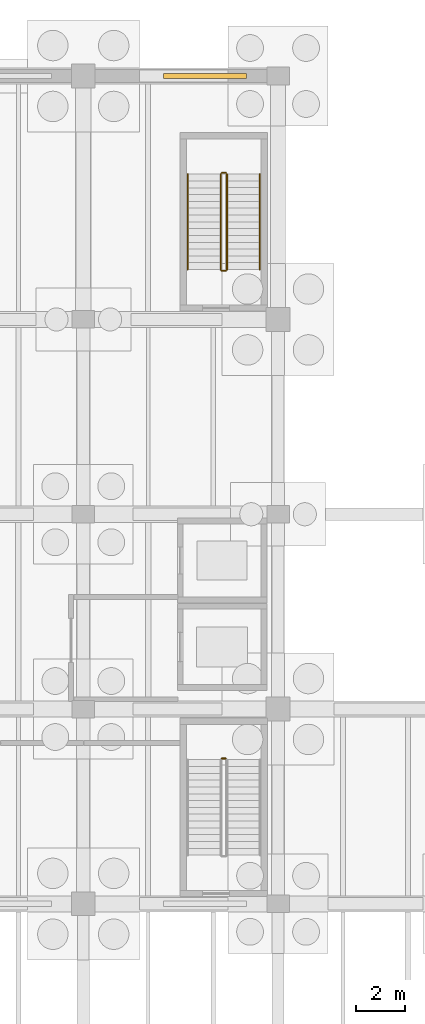
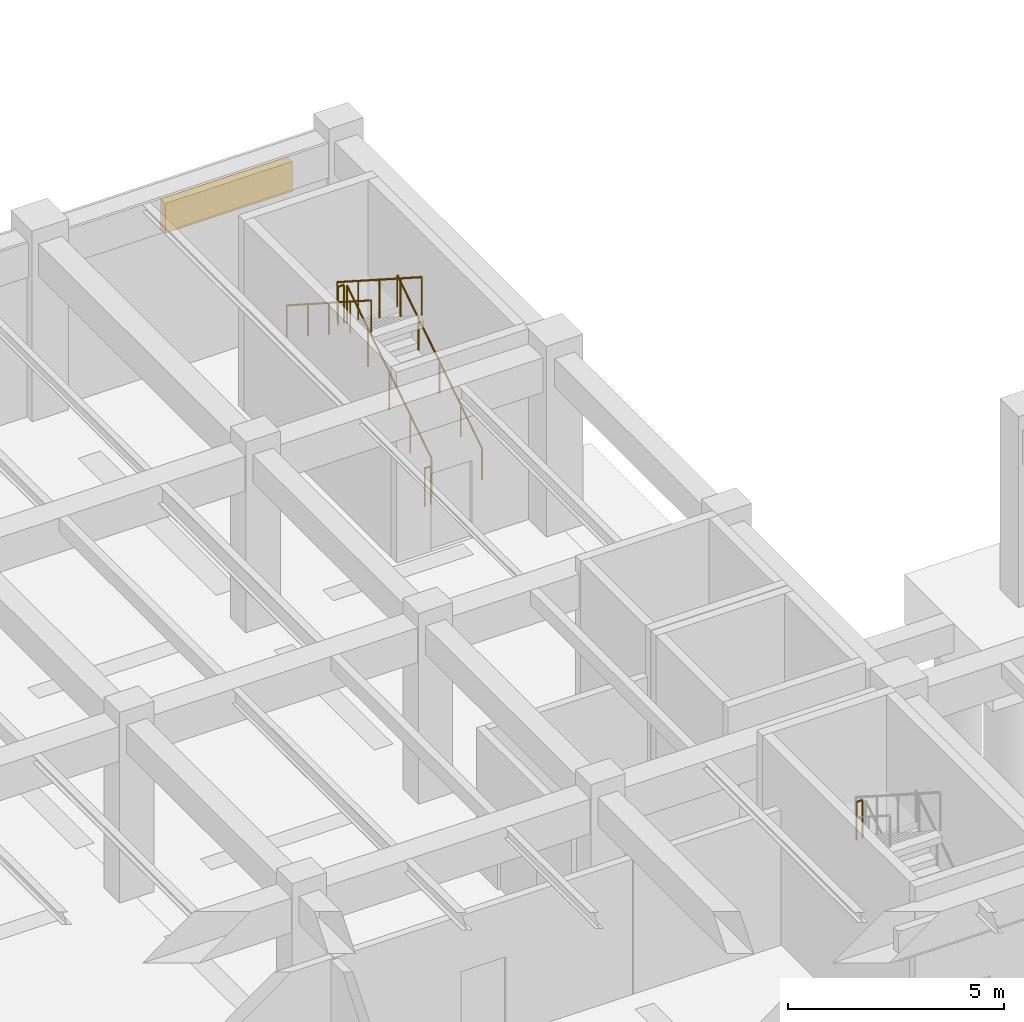
# One storey, part 42 of 44: 7 railings, 1 shading device.
"""IFC4 building model written with IfcOpenShell, lengths in metres."""

from ifc_helpers import new_model, si_unit, direction, frame, origin, origin_2d, place, context, subcontext, project, spatial, rectangle, circle, extrude, material, type_object, element, save


model = new_model("IFC4")

# Units and contexts
model_context = context("Model", 3, precision=1e-05, world=origin(), true_north=direction((0.0, 1.0)))
body_context = subcontext(model_context, "Body", "Model", "MODEL_VIEW")
ifc_project = project(units=[si_unit("LENGTHUNIT", "METRE"), si_unit("AREAUNIT", "SQUARE_METRE"), si_unit("VOLUMEUNIT", "CUBIC_METRE"), si_unit("PLANEANGLEUNIT", "RADIAN"), si_unit("MASSUNIT", "GRAM", prefix="KILO")], contexts=[model_context])

# Site, building, storey
site_placement = place(None, origin())
site = spatial("IfcSite", under=ifc_project, at=site_placement, CompositionType="ELEMENT")
building_placement = place(site_placement, origin())
building = spatial("IfcBuilding", under=site, at=building_placement, Name="Pecanmere Concourse Central Library", CompositionType="ELEMENT")
storey_placement = place(building_placement, frame((0.0, 0.0, -5.39990234375)))
storey = spatial("IfcBuildingStorey", under=building, at=storey_placement, Name="B1", CompositionType="ELEMENT", Elevation=-5.39990234375)

# Railings
ifc_material_1 = material(Name="Painted architectural steel ASTM A36", Category="steel")
railing_type_1 = type_object("IfcRailingType", Name="RAIL_STAIR_GUARD", PredefinedType="GUARDRAIL", material=ifc_material_1)
railing_1_placement = place(storey_placement, frame((101.85009765625, 95.969970703125, 2.699951171875)))
element("IfcRailing", 1, at=railing_1_placement, inside=storey, type_object=railing_type_1, Name="B1 ST-02 Guard 2", PredefinedType="GUARDRAIL", context=body_context, shape_type="SweptSolid", body=[
    extrude(circle(Radius=0.02392578125, at=origin_2d()), frame((0.0, 0.0, 1.076171875), z_axis=(-1.0, 0.0, 0.0), x_axis=(0.0, -1.0, 0.0)), (0.0, 0.0, 1.0), 0.16015625),
    extrude(circle(Radius=0.02099609375, at=origin_2d()), origin(), (0.0, 0.0, 1.0), 1.052001953125),
    extrude(circle(Radius=0.02099609375, at=origin_2d()), frame((-0.16015625, 0.0, 0.0)), (0.0, 0.0, 1.0), 1.052001953125),
])
railing_2_placement = place(storey_placement, frame((101.89990234375, 116.050048828125, 0.179931640625)))
element("IfcRailing", 2, at=railing_2_placement, inside=storey, type_object=railing_type_1, Name="B1 ST-04 Guard 1", PredefinedType="GUARDRAIL", context=body_context, shape_type="SweptSolid", body=[
    extrude(circle(Radius=0.02392578125, at=origin_2d()), frame((0.0, 0.0, 1.076171875), z_axis=(0.0, 0.841171666519, 0.540768182723), x_axis=(-1.0, 0.0, 0.0)), (0.0, 0.0, 1.0), 4.66015625),
    extrude(circle(Radius=0.02099609375, at=origin_2d()), origin(), (0.0, 0.0, 1.0), 1.052001953125),
    extrude(circle(Radius=0.02099609375, at=origin_2d()), frame((0.0, 0.97998046875, 0.6298828125)), (0.0, 0.0, 1.0), 1.052001953125),
    extrude(circle(Radius=0.02099609375, at=origin_2d()), frame((0.0, 1.9599609375, 1.260009765625)), (0.0, 0.0, 1.0), 1.052001953125),
    extrude(circle(Radius=0.02099609375, at=origin_2d()), frame((0.0, 2.93994140625, 1.89013671875)), (0.0, 0.0, 1.0), 1.052001953125),
    extrude(circle(Radius=0.02099609375, at=origin_2d()), frame((0.0, 3.919921875, 2.52001953125)), (0.0, 0.0, 1.0), 1.052001953125),
])
railing_3_placement = place(storey_placement, frame((101.85009765625, 120.02001953125, 2.699951171875)))
element("IfcRailing", 3, at=railing_3_placement, inside=storey, type_object=railing_type_1, Name="B1 ST-04 Guard 2", PredefinedType="GUARDRAIL", context=body_context, shape_type="SweptSolid", body=[
    extrude(circle(Radius=0.02392578125, at=origin_2d()), frame((0.0, 0.0, 1.076171875), z_axis=(-1.0, 0.0, 0.0), x_axis=(0.0, -1.0, 0.0)), (0.0, 0.0, 1.0), 0.16015625),
    extrude(circle(Radius=0.02099609375, at=origin_2d()), origin(), (0.0, 0.0, 1.0), 1.052001953125),
    extrude(circle(Radius=0.02099609375, at=origin_2d()), frame((-0.16015625, 0.0, 0.0)), (0.0, 0.0, 1.0), 1.052001953125),
])
railing_4_placement = place(storey_placement, frame((101.639892578125, 119.969970703125, 2.8798828125)))
element("IfcRailing", 4, at=railing_4_placement, inside=storey, type_object=railing_type_1, Name="B1 ST-04 Guard 3", PredefinedType="GUARDRAIL", context=body_context, shape_type="SweptSolid", body=[
    extrude(circle(Radius=0.02392578125, at=origin_2d()), frame((0.0, 0.0, 1.076171875), z_axis=(0.0, -0.841171666519, 0.540768182723), x_axis=(1.0, 0.0, 0.0)), (0.0, 0.0, 1.0), 4.66015625),
    extrude(circle(Radius=0.02099609375, at=origin_2d()), origin(), (0.0, 0.0, 1.0), 1.052001953125),
    extrude(circle(Radius=0.02099609375, at=origin_2d()), frame((0.0, -0.97998046875, 0.6298828125)), (0.0, 0.0, 1.0), 1.052001953125),
    extrude(circle(Radius=0.02099609375, at=origin_2d()), frame((0.0, -1.9599609375, 1.260009765625)), (0.0, 0.0, 1.0), 1.052001953125),
    extrude(circle(Radius=0.02099609375, at=origin_2d()), frame((0.0, -2.93994140625, 1.89013671875)), (0.0, 0.0, 1.0), 1.052001953125),
    extrude(circle(Radius=0.02099609375, at=origin_2d()), frame((0.0, -3.919921875, 2.52001953125)), (0.0, 0.0, 1.0), 1.052001953125),
])
railing_5_placement = place(storey_placement, frame((101.85009765625, 116.0, 0.0)))
element("IfcRailing", 5, at=railing_5_placement, inside=storey, type_object=railing_type_1, Name="B1 ST-04 Guard 4", PredefinedType="GUARDRAIL", context=body_context, shape_type="SweptSolid", body=[
    extrude(circle(Radius=0.02392578125, at=origin_2d()), frame((0.0, 0.0, 1.076171875), z_axis=(-1.0, 0.0, 0.0), x_axis=(0.0, -1.0, 0.0)), (0.0, 0.0, 1.0), 0.16015625),
    extrude(circle(Radius=0.02099609375, at=origin_2d()), origin(), (0.0, 0.0, 1.0), 1.052001953125),
    extrude(circle(Radius=0.02099609375, at=origin_2d()), frame((-0.16015625, 0.0, 0.0)), (0.0, 0.0, 1.0), 1.052001953125),
])
ifc_material_2 = material(Name="Brushed stainless steel Grade 316", Category="steel")
railing_type_2 = type_object("IfcRailingType", Name="RAIL_STAIR_HR", PredefinedType="HANDRAIL", material=ifc_material_2)
railing_6_placement = place(storey_placement, frame((103.25, 116.050048828125, 0.179931640625)))
element("IfcRailing", 6, at=railing_6_placement, inside=storey, type_object=railing_type_2, Name="B1 ST-04 Handrail 1", PredefinedType="HANDRAIL", context=body_context, shape_type="SweptSolid", body=[
    extrude(circle(Radius=0.02392578125, at=origin_2d()), frame((0.0, 0.0, 0.89111328125), z_axis=(0.0, 0.841171666519, 0.540768182723), x_axis=(-1.0, 0.0, 0.0)), (0.0, 0.0, 1.0), 4.66015625),
    extrude(circle(Radius=0.02099609375, at=origin_2d()), origin(), (0.0, 0.0, 1.0), 0.866943359375),
    extrude(circle(Radius=0.02099609375, at=origin_2d()), frame((0.0, 0.97998046875, 0.6298828125)), (0.0, 0.0, 1.0), 0.866943359375),
    extrude(circle(Radius=0.02099609375, at=origin_2d()), frame((0.0, 1.9599609375, 1.260009765625)), (0.0, 0.0, 1.0), 0.866943359375),
    extrude(circle(Radius=0.02099609375, at=origin_2d()), frame((0.0, 2.93994140625, 1.89013671875)), (0.0, 0.0, 1.0), 0.866943359375),
    extrude(circle(Radius=0.02099609375, at=origin_2d()), frame((0.0, 3.919921875, 2.52001953125)), (0.0, 0.0, 1.0), 0.866943359375),
])
railing_7_placement = place(storey_placement, frame((100.2900390625, 119.969970703125, 2.8798828125)))
element("IfcRailing", 7, at=railing_7_placement, inside=storey, type_object=railing_type_2, Name="B1 ST-04 Handrail 2", PredefinedType="HANDRAIL", context=body_context, shape_type="SweptSolid", body=[
    extrude(circle(Radius=0.02392578125, at=origin_2d()), frame((0.0, 0.0, 0.89111328125), z_axis=(0.0, -0.841171666519, 0.540768182723), x_axis=(1.0, 0.0, 0.0)), (0.0, 0.0, 1.0), 4.66015625),
    extrude(circle(Radius=0.02099609375, at=origin_2d()), origin(), (0.0, 0.0, 1.0), 0.866943359375),
    extrude(circle(Radius=0.02099609375, at=origin_2d()), frame((0.0, -0.97998046875, 0.6298828125)), (0.0, 0.0, 1.0), 0.866943359375),
    extrude(circle(Radius=0.02099609375, at=origin_2d()), frame((0.0, -1.9599609375, 1.260009765625)), (0.0, 0.0, 1.0), 0.866943359375),
    extrude(circle(Radius=0.02099609375, at=origin_2d()), frame((0.0, -2.93994140625, 1.89013671875)), (0.0, 0.0, 1.0), 0.866943359375),
    extrude(circle(Radius=0.02099609375, at=origin_2d()), frame((0.0, -3.919921875, 2.52001953125)), (0.0, 0.0, 1.0), 0.866943359375),
])

# Shading device
ifc_material_3 = material(Name="Architectural anodized bronze")
shading_device_type = type_object("IfcShadingDeviceType", Name="SHD_LOUVRE_1", PredefinedType="JALOUSIE", material=ifc_material_3)
shading_device_placement = place(storey_placement, frame((101.0, 124.0, 3.77490234375), z_axis=(0.0, 0.0, 1.0), x_axis=(1.0, 0.0, 0.0)))
element("IfcShadingDevice", 8, at=shading_device_placement, inside=storey, type_object=shading_device_type, Name="Intake Louvre SHD-08", PredefinedType="JALOUSIE", context=body_context, shape_type="SweptSolid", body=[
    extrude(rectangle(XDim=3.39990234375, YDim=0.219970703125, at=origin_2d()), origin(), (0.0, 0.0, 1.0), 0.85009765625),
])

save(model, "model.ifc")
